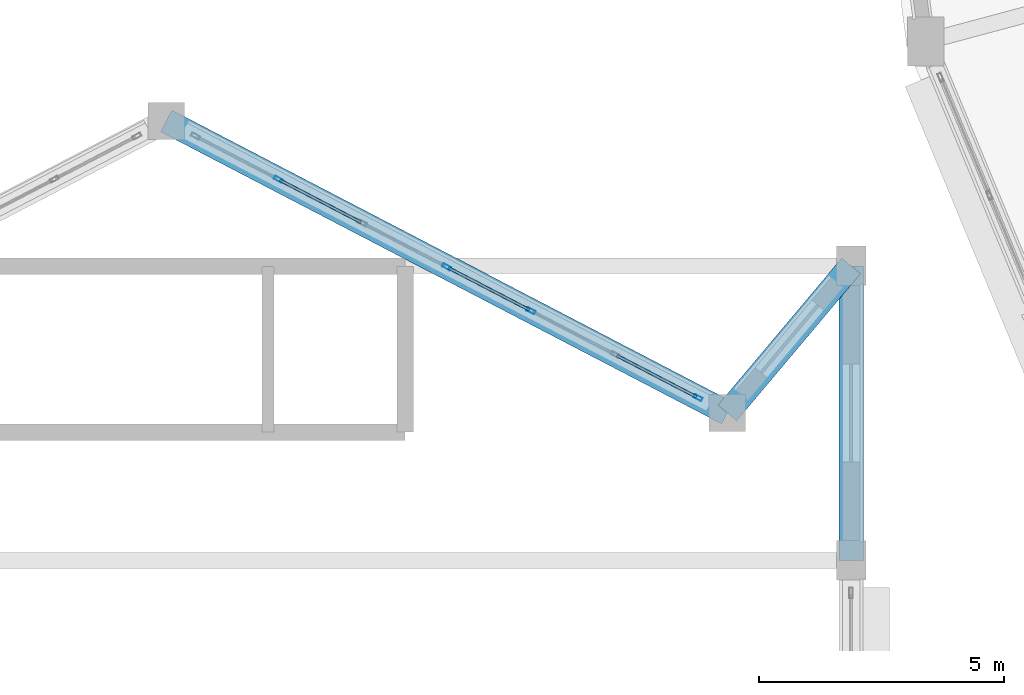
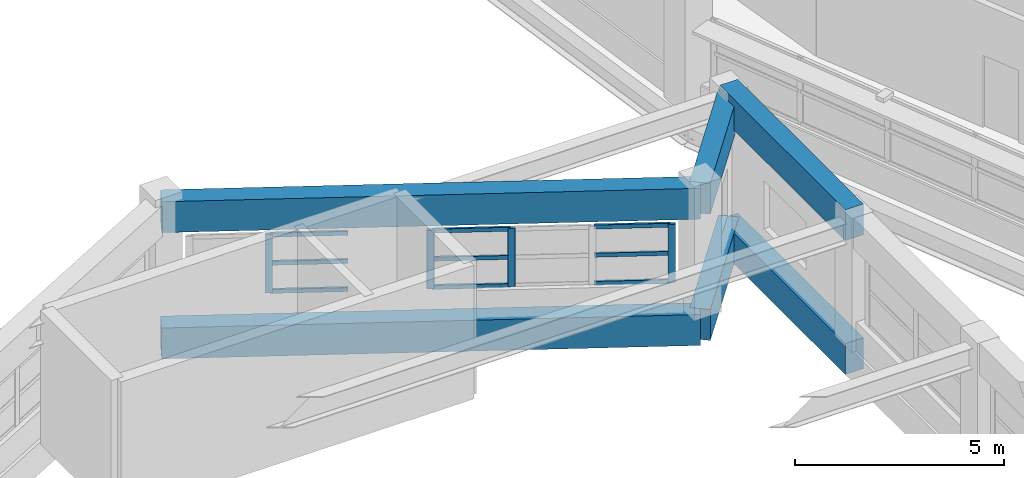
# One storey, part 26 of 108: 13 members, 6 beams, 1 element without a shape of its own.
"""IFC4 building model written with IfcOpenShell, lengths in metres."""

from ifc_helpers import new_model, si_unit, direction, frame, origin, origin_2d, place, context, subcontext, project, spatial, rectangle, hollow_rectangle, extrude, material, layer, layer_set, material_profile, profile_set, type_object, element, aggregate, save


model = new_model("IFC4")

# Units and contexts
model_context = context("Model", 3, precision=1e-05, world=origin(), true_north=direction((0.0, 1.0)))
body_context = subcontext(model_context, "Body", "Model", "MODEL_VIEW")
ifc_project = project(units=[si_unit("LENGTHUNIT", "METRE"), si_unit("AREAUNIT", "SQUARE_METRE"), si_unit("VOLUMEUNIT", "CUBIC_METRE"), si_unit("PLANEANGLEUNIT", "RADIAN"), si_unit("MASSUNIT", "GRAM", prefix="KILO")], contexts=[model_context])

# Site, building, storey
site_placement = place(None, origin())
site = spatial("IfcSite", under=ifc_project, at=site_placement, CompositionType="ELEMENT")
building_placement = place(site_placement, origin())
building = spatial("IfcBuilding", under=site, at=building_placement, Name="Vespera Passage Community Centre", CompositionType="ELEMENT")
storey_placement = place(building_placement, frame((0.0, 0.0, 12.60009765625)))
storey = spatial("IfcBuildingStorey", under=building, at=storey_placement, Name="L03", CompositionType="ELEMENT", Elevation=12.60009765625)

# Beams
ifc_material_1 = material(Name="Concrete f'c 45 MPa", Category="concrete")
ifc_material_profile_1 = material_profile(ifc_material_1, rectangle(XDim=0.5, YDim=0.89990234375, at=origin_2d()), Name="RC500X900")
ifc_profile_set_1 = profile_set([ifc_material_profile_1], Name="Concrete f'c 45 MPa")
beam_type = type_object("IfcBeamType", Name="BM-SP-500X900E", PredefinedType="SPANDREL", material=ifc_profile_set_1)
beam_1_placement = place(storey_placement, frame((31.949951171875, 43.0, 3.449951171875), z_axis=(0.0, 1.0, 0.0), x_axis=(-1.0, 0.0, 0.0)))
element("IfcBeam", 1, at=beam_1_placement, inside=storey, type_object=beam_type, Name="Main Hall Eave Ring Girder E7", PredefinedType="SPANDREL", context=body_context, shape_type="SweptSolid", body=[
    extrude(rectangle(XDim=0.5, YDim=0.89990234375, at=origin_2d()), origin(), (0.0, 0.0, 1.0), 6.0),
])
beam_2_placement = place(storey_placement, frame((31.949951171875, 49.0, 3.22998046875), z_axis=(-0.643780739075, -0.765210010386, 0.0), x_axis=(0.765210010386, -0.643780739075, 0.0)))
element("IfcBeam", 2, at=beam_2_placement, inside=storey, type_object=beam_type, Name="V1 N Apse Roof Edge Beam 1", PredefinedType="SPANDREL", context=body_context, shape_type="SweptSolid", body=[
    extrude(rectangle(XDim=0.5, YDim=0.89990234375, at=origin_2d()), origin(), (0.0, 0.0, 1.0), 3.91845703125),
])
beam_3_placement = place(storey_placement, frame((29.42724609375, 46.00146484375, 3.22998046875), z_axis=(-0.887015966554, 0.461738751978, 0.0), x_axis=(-0.461738751978, -0.887015966554, 0.0)))
element("IfcBeam", 3, at=beam_3_placement, inside=storey, type_object=beam_type, Name="V1 N Apse Roof Edge Beam 2", PredefinedType="SPANDREL", context=body_context, shape_type="SweptSolid", body=[
    extrude(rectangle(XDim=0.5, YDim=0.89990234375, at=origin_2d()), origin(), (0.0, 0.0, 1.0), 12.8828125),
])
beam_4_placement = place(storey_placement, frame((31.949951171875, 43.0, -0.4501953125), z_axis=(0.0, 1.0, 0.0), x_axis=(-1.0, 0.0, 0.0)))
element("IfcBeam", 4, at=beam_4_placement, inside=storey, type_object=beam_type, Name="V1 L03 Spandrel E7", PredefinedType="SPANDREL", context=body_context, shape_type="SweptSolid", body=[
    extrude(rectangle(XDim=0.5, YDim=0.89990234375, at=origin_2d()), origin(), (0.0, 0.0, 1.0), 6.0),
])
beam_5_placement = place(storey_placement, frame((31.949951171875, 49.0, -0.4501953125), z_axis=(-0.643780739075, -0.765210010386, 0.0), x_axis=(0.765210010386, -0.643780739075, 0.0)))
element("IfcBeam", 5, at=beam_5_placement, inside=storey, type_object=beam_type, Name="V1 L03 N Apse Spandrel 1", PredefinedType="SPANDREL", context=body_context, shape_type="SweptSolid", body=[
    extrude(rectangle(XDim=0.5, YDim=0.89990234375, at=origin_2d()), origin(), (0.0, 0.0, 1.0), 3.91845703125),
])
beam_6_placement = place(storey_placement, frame((29.42724609375, 46.00146484375, -0.4501953125), z_axis=(-0.887015966554, 0.461738751978, 0.0), x_axis=(-0.461738751978, -0.887015966554, 0.0)))
element("IfcBeam", 6, at=beam_6_placement, inside=storey, type_object=beam_type, Name="V1 L03 N Apse Spandrel 2", PredefinedType="SPANDREL", context=body_context, shape_type="SweptSolid", body=[
    extrude(rectangle(XDim=0.5, YDim=0.89990234375, at=origin_2d()), origin(), (0.0, 0.0, 1.0), 12.8828125),
])

# Curtain wall, members
ifc_material_2 = material(Name="Anodized aluminium 6063-T6", Category="aluminium")
ifc_layer = layer(ifc_material_2, 0.159912109375)
ifc_layer_set = layer_set([ifc_layer], Name="Anodized aluminium 6063-T6")
curtain_wall_type = type_object("IfcCurtainWallType", Name="CW-88E", PredefinedType="NOTDEFINED", material=ifc_layer_set)
curtain_wall_placement = place(storey_placement, origin())
curtain_wall = element("IfcCurtainWall", 7, at=curtain_wall_placement, inside=storey, type_object=curtain_wall_type, Name="V1 L03 N Apse Ribbon Curtain Wall 3", PredefinedType="NOTDEFINED")
ifc_material_3 = material(Name="Anodized aluminium 6063-T6", Category="aluminium")
ifc_material_profile_2 = material_profile(ifc_material_3, hollow_rectangle(XDim=0.074951171875, YDim=0.179931640625, WallThickness=0.0048828125, InnerFilletRadius=0.00244140625, OuterFilletRadius=0.0048828125, at=origin_2d()), Name="ALU180X75X5")
ifc_profile_set_2 = profile_set([ifc_material_profile_2], Name="Anodized aluminium 6063-T6")
member_type_1 = type_object("IfcMemberType", Name="MB-CWM-180E", PredefinedType="MULLION", material=ifc_profile_set_2)
member_1_placement = place(storey_placement, frame((20.28173828125, 50.76220703125, 0.7998046875), z_axis=(0.0, 0.0, 1.0), x_axis=(0.46174493668, 0.887012747062, 0.0)))
member_1 = element("IfcMember", 8, at=member_1_placement, type_object=member_type_1, Name="CW-88E mullion 2", PredefinedType="MULLION", context=body_context, shape_type="SweptSolid", body=[
    extrude(hollow_rectangle(XDim=0.074951171875, YDim=0.179931640625, WallThickness=0.0048828125, InnerFilletRadius=0.00244140625, OuterFilletRadius=0.0048828125, at=origin_2d()), origin(), (0.0, 0.0, 1.0), 1.7001953125),
])
member_2_placement = place(storey_placement, frame((23.713623046875, 48.9755859375, 0.7998046875), z_axis=(0.0, 0.0, 1.0), x_axis=(0.46174493668, 0.887012747062, 0.0)))
member_2 = element("IfcMember", 9, at=member_2_placement, type_object=member_type_1, Name="CW-88E mullion 4", PredefinedType="MULLION", context=body_context, shape_type="SweptSolid", body=[
    extrude(hollow_rectangle(XDim=0.074951171875, YDim=0.179931640625, WallThickness=0.0048828125, InnerFilletRadius=0.00244140625, OuterFilletRadius=0.0048828125, at=origin_2d()), origin(), (0.0, 0.0, 1.0), 1.7001953125),
])
member_3_placement = place(storey_placement, frame((25.4296875, 48.08251953125, 0.7998046875), z_axis=(0.0, 0.0, 1.0), x_axis=(0.46174493668, 0.887012747062, 0.0)))
member_3 = element("IfcMember", 10, at=member_3_placement, type_object=member_type_1, Name="CW-88E mullion 5", PredefinedType="MULLION", context=body_context, shape_type="SweptSolid", body=[
    extrude(hollow_rectangle(XDim=0.074951171875, YDim=0.179931640625, WallThickness=0.0048828125, InnerFilletRadius=0.00244140625, OuterFilletRadius=0.0048828125, at=origin_2d()), origin(), (0.0, 0.0, 1.0), 1.7001953125),
])
member_4_placement = place(storey_placement, frame((28.828125, 46.313232421875, 0.7998046875), z_axis=(0.0, 0.0, 1.0), x_axis=(0.46174493668, 0.887012747062, 0.0)))
member_4 = element("IfcMember", 11, at=member_4_placement, type_object=member_type_1, Name="CW-88E mullion 7", PredefinedType="MULLION", context=body_context, shape_type="SweptSolid", body=[
    extrude(hollow_rectangle(XDim=0.074951171875, YDim=0.179931640625, WallThickness=0.0048828125, InnerFilletRadius=0.00244140625, OuterFilletRadius=0.0048828125, at=origin_2d()), origin(), (0.0, 0.0, 1.0), 1.7001953125),
])
ifc_material_4 = material(Name="Anodized aluminium 6063-T6", Category="aluminium")
ifc_material_profile_3 = material_profile(ifc_material_4, hollow_rectangle(XDim=0.06005859375, YDim=0.1201171875, WallThickness=0.00390625, InnerFilletRadius=0.001953125, OuterFilletRadius=0.00390625, at=origin_2d()), Name="ALU120X60X4")
ifc_profile_set_3 = profile_set([ifc_material_profile_3], Name="Anodized aluminium 6063-T6")
member_type_2 = type_object("IfcMemberType", Name="MB-CWT-120E", PredefinedType="USERDEFINED", material=ifc_profile_set_3)
member_5_placement = place(storey_placement, frame((20.31494140625, 50.744873046875, 0.829833984375), z_axis=(0.887008197889, -0.461753675544, 0.0), x_axis=(0.461753675544, 0.887008197889, 0.0)))
member_5 = element("IfcMember", 12, at=member_5_placement, type_object=member_type_2, Name="CW-88E transom 2.1", ObjectType="TRANSOM", PredefinedType="USERDEFINED", context=body_context, shape_type="SweptSolid", body=[
    extrude(hollow_rectangle(XDim=0.06005859375, YDim=0.1201171875, WallThickness=0.00390625, InnerFilletRadius=0.001953125, OuterFilletRadius=0.00390625, at=origin_2d()), origin(), (0.0, 0.0, 1.0), 1.859619140625),
])
member_6_placement = place(storey_placement, frame((20.31494140625, 50.744873046875, 1.64990234375), z_axis=(0.887008197889, -0.461753675544, 0.0), x_axis=(0.461753675544, 0.887008197889, 0.0)))
member_6 = element("IfcMember", 13, at=member_6_placement, type_object=member_type_2, Name="CW-88E transom 2.2", ObjectType="TRANSOM", PredefinedType="USERDEFINED", context=body_context, shape_type="SweptSolid", body=[
    extrude(hollow_rectangle(XDim=0.06005859375, YDim=0.1201171875, WallThickness=0.00390625, InnerFilletRadius=0.001953125, OuterFilletRadius=0.00390625, at=origin_2d()), origin(), (0.0, 0.0, 1.0), 1.859619140625),
])
member_7_placement = place(storey_placement, frame((20.31494140625, 50.744873046875, 2.469970703125), z_axis=(0.887008197889, -0.461753675544, 0.0), x_axis=(0.461753675544, 0.887008197889, 0.0)))
member_7 = element("IfcMember", 14, at=member_7_placement, type_object=member_type_2, Name="CW-88E transom 2.3", ObjectType="TRANSOM", PredefinedType="USERDEFINED", context=body_context, shape_type="SweptSolid", body=[
    extrude(hollow_rectangle(XDim=0.06005859375, YDim=0.1201171875, WallThickness=0.00390625, InnerFilletRadius=0.001953125, OuterFilletRadius=0.00390625, at=origin_2d()), origin(), (0.0, 0.0, 1.0), 1.859619140625),
])
member_8_placement = place(storey_placement, frame((23.746826171875, 48.95849609375, 0.829833984375), z_axis=(0.887008197889, -0.461753675544, 0.0), x_axis=(0.461753675544, 0.887008197889, 0.0)))
member_8 = element("IfcMember", 15, at=member_8_placement, type_object=member_type_2, Name="CW-88E transom 4.1", ObjectType="TRANSOM", PredefinedType="USERDEFINED", context=body_context, shape_type="SweptSolid", body=[
    extrude(hollow_rectangle(XDim=0.06005859375, YDim=0.1201171875, WallThickness=0.00390625, InnerFilletRadius=0.001953125, OuterFilletRadius=0.00390625, at=origin_2d()), origin(), (0.0, 0.0, 1.0), 1.859619140625),
])
member_9_placement = place(storey_placement, frame((23.746826171875, 48.95849609375, 1.64990234375), z_axis=(0.887008197889, -0.461753675544, 0.0), x_axis=(0.461753675544, 0.887008197889, 0.0)))
member_9 = element("IfcMember", 16, at=member_9_placement, type_object=member_type_2, Name="CW-88E transom 4.2", ObjectType="TRANSOM", PredefinedType="USERDEFINED", context=body_context, shape_type="SweptSolid", body=[
    extrude(hollow_rectangle(XDim=0.06005859375, YDim=0.1201171875, WallThickness=0.00390625, InnerFilletRadius=0.001953125, OuterFilletRadius=0.00390625, at=origin_2d()), origin(), (0.0, 0.0, 1.0), 1.859619140625),
])
member_10_placement = place(storey_placement, frame((23.746826171875, 48.95849609375, 2.469970703125), z_axis=(0.887008197889, -0.461753675544, 0.0), x_axis=(0.461753675544, 0.887008197889, 0.0)))
member_10 = element("IfcMember", 17, at=member_10_placement, type_object=member_type_2, Name="CW-88E transom 4.3", ObjectType="TRANSOM", PredefinedType="USERDEFINED", context=body_context, shape_type="SweptSolid", body=[
    extrude(hollow_rectangle(XDim=0.06005859375, YDim=0.1201171875, WallThickness=0.00390625, InnerFilletRadius=0.001953125, OuterFilletRadius=0.00390625, at=origin_2d()), origin(), (0.0, 0.0, 1.0), 1.859619140625),
])
member_11_placement = place(storey_placement, frame((27.1787109375, 47.171875, 0.829833984375), z_axis=(0.887019277583, -0.461732391322, 0.0), x_axis=(0.461732391322, 0.887019277583, 0.0)))
member_11 = element("IfcMember", 18, at=member_11_placement, type_object=member_type_2, Name="CW-88E transom 6.1", ObjectType="TRANSOM", PredefinedType="USERDEFINED", context=body_context, shape_type="SweptSolid", body=[
    extrude(hollow_rectangle(XDim=0.06005859375, YDim=0.1201171875, WallThickness=0.00390625, InnerFilletRadius=0.001953125, OuterFilletRadius=0.00390625, at=origin_2d()), origin(), (0.0, 0.0, 1.0), 1.822021484375),
])
member_12_placement = place(storey_placement, frame((27.1787109375, 47.171875, 1.64990234375), z_axis=(0.887019277583, -0.461732391322, 0.0), x_axis=(0.461732391322, 0.887019277583, 0.0)))
member_12 = element("IfcMember", 19, at=member_12_placement, type_object=member_type_2, Name="CW-88E transom 6.2", ObjectType="TRANSOM", PredefinedType="USERDEFINED", context=body_context, shape_type="SweptSolid", body=[
    extrude(hollow_rectangle(XDim=0.06005859375, YDim=0.1201171875, WallThickness=0.00390625, InnerFilletRadius=0.001953125, OuterFilletRadius=0.00390625, at=origin_2d()), origin(), (0.0, 0.0, 1.0), 1.822021484375),
])
member_13_placement = place(storey_placement, frame((27.1787109375, 47.171875, 2.469970703125), z_axis=(0.887019277583, -0.461732391322, 0.0), x_axis=(0.461732391322, 0.887019277583, 0.0)))
member_13 = element("IfcMember", 20, at=member_13_placement, type_object=member_type_2, Name="CW-88E transom 6.3", ObjectType="TRANSOM", PredefinedType="USERDEFINED", context=body_context, shape_type="SweptSolid", body=[
    extrude(hollow_rectangle(XDim=0.06005859375, YDim=0.1201171875, WallThickness=0.00390625, InnerFilletRadius=0.001953125, OuterFilletRadius=0.00390625, at=origin_2d()), origin(), (0.0, 0.0, 1.0), 1.822021484375),
])
aggregate(curtain_wall, [member_1, member_2, member_3, member_4, member_5, member_6, member_7, member_8, member_9, member_10, member_11, member_12, member_13])

save(model, "model.ifc")
